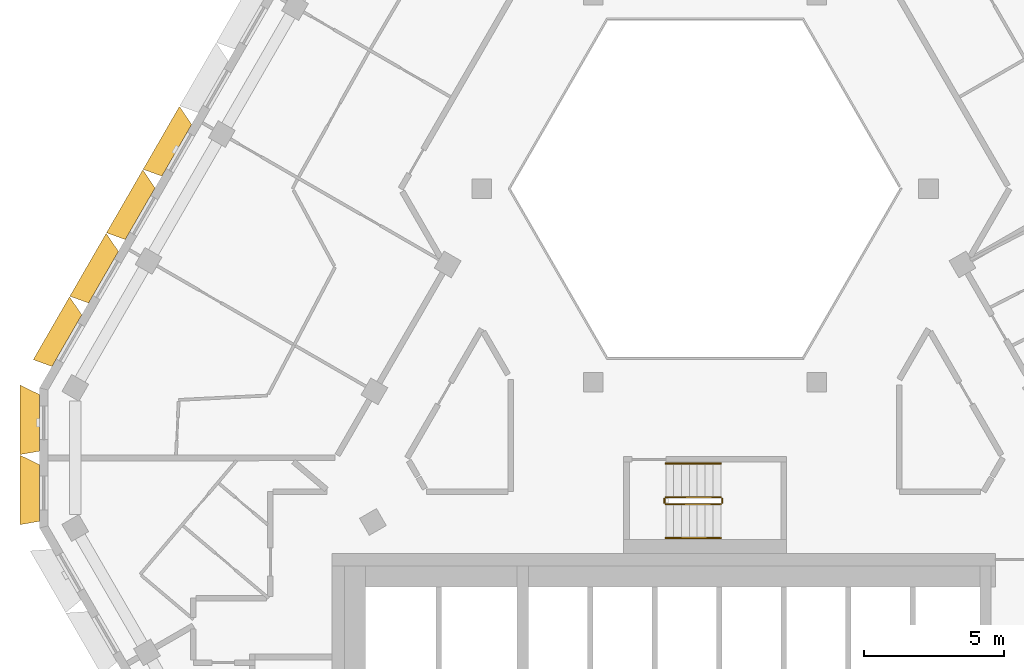
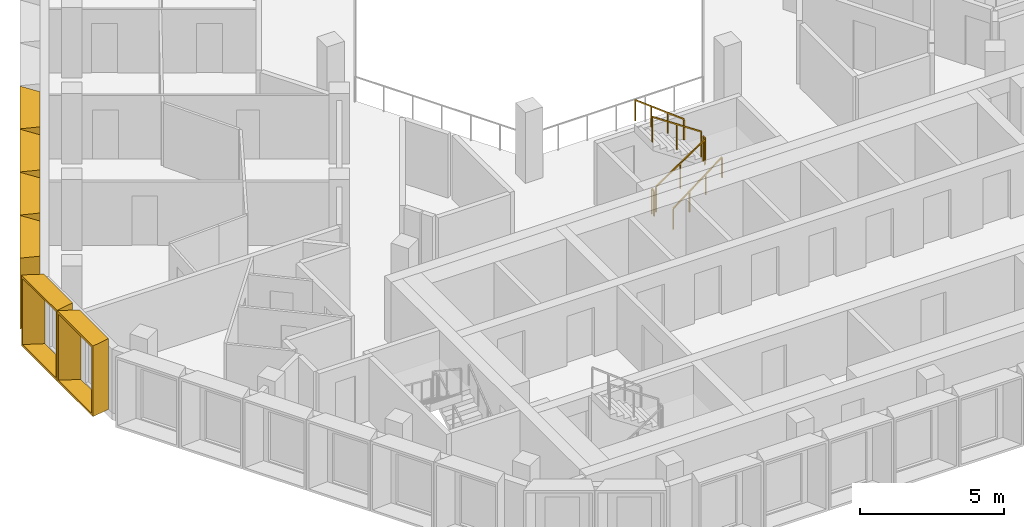
# One storey, part 13 of 16: 6 railings, 6 shading devices.
"""IFC4 building model written with IfcOpenShell, lengths in metres."""

from ifc_helpers import new_model, entity, si_unit, direction, frame, origin, origin_2d, place, context, subcontext, project, spatial, rectangle, extrude, source, transform, mapped, material, type_object, type_shapes, element, save


model = new_model("IFC4")

# Units and contexts
model_context = context("Model", 3, precision=1e-05, world=origin(), true_north=direction((0.0, 1.0)))
body_context = subcontext(model_context, "Body", "Model", "MODEL_VIEW")
ifc_project = project(units=[si_unit("LENGTHUNIT", "METRE"), si_unit("AREAUNIT", "SQUARE_METRE"), si_unit("VOLUMEUNIT", "CUBIC_METRE"), si_unit("PLANEANGLEUNIT", "RADIAN"), si_unit("MASSUNIT", "GRAM", prefix="KILO")], contexts=[model_context])

# Site, building, storey
site_placement = place(None, origin())
site = spatial("IfcSite", under=ifc_project, at=site_placement, CompositionType="ELEMENT")
building_placement = place(site_placement, origin())
building = spatial("IfcBuilding", under=site, at=building_placement, Name="Beryl Residences", CompositionType="ELEMENT")
storey_placement = place(building_placement, frame((0.0, 0.0, 238.800048828125)))
storey = spatial("IfcBuildingStorey", under=building, at=storey_placement, Name="L74", CompositionType="ELEMENT", Elevation=238.800048828125)

# Shading devices
ifc_material_1 = material(Name="Aluminium pale anodised", Category="aluminium")
shading_device_type_1 = type_object("IfcShadingDeviceType", Name="FR250-70B OUTER SKIN frame 700 mm deep, splay 26/10 deg, 2500 x 3000 mm cell", PredefinedType="USERDEFINED", material=ifc_material_1)
cartesian_point_1 = entity("IfcCartesianPoint", [-1.007568359375, 0.0])
cartesian_point_2 = entity("IfcCartesianPoint", [-0.91845703125, 0.10009765625])
cartesian_point_3 = entity("IfcCartesianPoint", [-1.348876953125, 0.0])
cartesian_point_4 = entity("IfcCartesianPoint", [-1.260009765625, 0.10009765625])
shared_shape_1 = source(origin(), body_context, "Body", "SweptSolid", [
    entity("IfcExtrudedAreaSolidTapered", entity("IfcArbitraryProfileDefWithVoids", "AREA", None, entity("IfcPolyline", [cartesian_point_1, entity("IfcCartesianPoint", [1.007568359375, 0.0]), entity("IfcCartesianPoint", [1.007568359375, 3.0]), entity("IfcCartesianPoint", [-1.007568359375, 3.0]), cartesian_point_1]), [entity("IfcPolyline", [cartesian_point_2, entity("IfcCartesianPoint", [0.92626953125, 0.10009765625]), entity("IfcCartesianPoint", [0.92626953125, 2.89990234375]), entity("IfcCartesianPoint", [-0.91845703125, 2.89990234375]), cartesian_point_2])]), entity("IfcAxis2Placement3D", entity("IfcCartesianPoint", [0.0, 0.0, 0.0]), entity("IfcDirection", [0.0, 1.0, 0.0]), entity("IfcDirection", [-1.0, 0.0, 0.0])), entity("IfcDirection", [0.0, 0.0, 1.0]), 0.699951171875, entity("IfcArbitraryProfileDefWithVoids", "AREA", None, entity("IfcPolyline", [cartesian_point_3, entity("IfcCartesianPoint", [1.130859375, 0.0]), entity("IfcCartesianPoint", [1.130859375, 3.0]), entity("IfcCartesianPoint", [-1.348876953125, 3.0]), cartesian_point_3]), [entity("IfcPolyline", [cartesian_point_4, entity("IfcCartesianPoint", [1.0498046875, 0.10009765625]), entity("IfcCartesianPoint", [1.0498046875, 2.89990234375]), entity("IfcCartesianPoint", [-1.260009765625, 2.89990234375]), cartesian_point_4])])),
])
type_shapes(shading_device_type_1, [shared_shape_1])
for number, where, z_axis, x_axis, name in (
    (1, (-23.72900390625, -0.35009765625, 0.0), (0.0, 0.0, 1.0), (0.0, 1.0, 0.0), "FR250-70B frame L74 NW-SW 1"),
    (2, (-23.72900390625, -2.85009765625, 0.0), (0.0, 0.0, 1.0), (0.0, 1.0, 0.0), "FR250-70B frame L74 NW-SW 2"),
):
    element("IfcShadingDevice", number, at=place(storey_placement, frame(where, z_axis=z_axis, x_axis=x_axis)), inside=storey, type_object=shading_device_type_1, Name=name, ObjectType="OUTER SKIN", PredefinedType="USERDEFINED", context=body_context, shape_type="MappedRepresentation", body=[
        mapped(shared_shape_1, transform((0.0, 0.0, 0.0))),
    ])
ifc_material_2 = material(Name="Aluminium pale anodised", Category="aluminium")
shading_device_type_2 = type_object("IfcShadingDeviceType", Name="FR261-70B OUTER SKIN frame 700 mm deep, splay 26/10 deg, 2610 x 3000 mm cell", PredefinedType="USERDEFINED", material=ifc_material_2)
cartesian_point_5 = entity("IfcCartesianPoint", [-1.0625, 0.0])
cartesian_point_6 = entity("IfcCartesianPoint", [-0.973388671875, 0.10009765625])
cartesian_point_7 = entity("IfcCartesianPoint", [-1.40380859375, 0.0])
cartesian_point_8 = entity("IfcCartesianPoint", [-1.31494140625, 0.10009765625])
shared_shape_2 = source(origin(), body_context, "Body", "SweptSolid", [
    entity("IfcExtrudedAreaSolidTapered", entity("IfcArbitraryProfileDefWithVoids", "AREA", None, entity("IfcPolyline", [cartesian_point_5, entity("IfcCartesianPoint", [1.0625, 0.0]), entity("IfcCartesianPoint", [1.0625, 3.0]), entity("IfcCartesianPoint", [-1.0625, 3.0]), cartesian_point_5]), [entity("IfcPolyline", [cartesian_point_6, entity("IfcCartesianPoint", [0.981201171875, 0.10009765625]), entity("IfcCartesianPoint", [0.981201171875, 2.89990234375]), entity("IfcCartesianPoint", [-0.973388671875, 2.89990234375]), cartesian_point_6])]), entity("IfcAxis2Placement3D", entity("IfcCartesianPoint", [0.0, 0.0, 0.0]), entity("IfcDirection", [0.0, 1.0, 0.0]), entity("IfcDirection", [-1.0, 0.0, 0.0])), entity("IfcDirection", [0.0, 0.0, 1.0]), 0.699951171875, entity("IfcArbitraryProfileDefWithVoids", "AREA", None, entity("IfcPolyline", [cartesian_point_7, entity("IfcCartesianPoint", [1.18603515625, 0.0]), entity("IfcCartesianPoint", [1.18603515625, 3.0]), entity("IfcCartesianPoint", [-1.40380859375, 3.0]), cartesian_point_7]), [entity("IfcPolyline", [cartesian_point_8, entity("IfcCartesianPoint", [1.104736328125, 0.10009765625]), entity("IfcCartesianPoint", [1.104736328125, 2.89990234375]), entity("IfcCartesianPoint", [-1.31494140625, 2.89990234375]), cartesian_point_8])])),
])
type_shapes(shading_device_type_2, [shared_shape_2])
for number, where, z_axis, x_axis, name in (
    (3, (-18.839111328125, 9.368896484375, 0.0), (0.0, 0.0, 1.0), (0.5, 0.866025403784, 0.0), "FR261-70B frame L74 NW 5"),
    (4, (-20.14501953125, 7.10595703125, 0.0), (0.0, 0.0, 1.0), (0.5, 0.866025403784, 0.0), "FR261-70B frame L74 NW 6"),
    (5, (-21.450927734375, 4.843994140625, 0.0), (0.0, 0.0, 1.0), (0.5, 0.866025403784, 0.0), "FR261-70B frame L74 NW 7"),
    (6, (-22.758056640625, 2.5810546875, 0.0), (0.0, 0.0, 1.0), (0.5, 0.866025403784, 0.0), "FR261-70B frame L74 NW 8"),
):
    element("IfcShadingDevice", number, at=place(storey_placement, frame(where, z_axis=z_axis, x_axis=x_axis)), inside=storey, type_object=shading_device_type_2, Name=name, ObjectType="OUTER SKIN", PredefinedType="USERDEFINED", context=body_context, shape_type="MappedRepresentation", body=[
        mapped(shared_shape_2, transform((0.0, 0.0, 0.0))),
    ])

# Railings
ifc_material_3 = material(Name="Stainless steel balustrade with glass infill", Category="steel")
railing_type_1 = type_object("IfcRailingType", Name="SG1 stair guard 1100 mm", PredefinedType="GUARDRAIL", material=ifc_material_3)
railing_1_placement = place(storey_placement, frame((-1.39990234375, -3.25, 0.1875)))
element("IfcRailing", 7, at=railing_1_placement, inside=storey, type_object=railing_type_1, Name="L74 ST-4 stair guard 1", PredefinedType="GUARDRAIL", context=body_context, shape_type="SweptSolid", body=[
    extrude(rectangle(XDim=0.048095703125, YDim=0.048095703125, at=origin_2d()), frame((0.0, 0.0, 1.076171875), z_axis=(0.830902050051, 0.0, 0.556418712142), x_axis=(0.0, 1.0, 0.0)), (0.0, 0.0, 1.0), 2.35888671875),
    extrude(rectangle(XDim=0.0419921875, YDim=0.0419921875, at=origin_2d()), origin(), (0.0, 0.0, 1.0), 1.052001953125),
    extrude(rectangle(XDim=0.0419921875, YDim=0.0419921875, at=origin_2d()), frame((0.97998046875, 0.0, 0.65625)), (0.0, 0.0, 1.0), 1.052001953125),
    extrude(rectangle(XDim=0.0419921875, YDim=0.0419921875, at=origin_2d()), frame((1.9599609375, 0.0, 1.3125)), (0.0, 0.0, 1.0), 1.052001953125),
])
railing_2_placement = place(storey_placement, frame((0.610107421875, -3.199951171875, 1.5)))
element("IfcRailing", 8, at=railing_2_placement, inside=storey, type_object=railing_type_1, Name="L74 ST-4 stair guard 2", PredefinedType="GUARDRAIL", context=body_context, shape_type="SweptSolid", body=[
    extrude(rectangle(XDim=0.048095703125, YDim=0.048095703125, at=origin_2d()), frame((0.0, 0.0, 1.076171875), z_axis=(0.0, 1.0, 0.0), x_axis=(-1.0, 0.0, 0.0)), (0.0, 0.0, 1.0), 0.14990234375),
    extrude(rectangle(XDim=0.0419921875, YDim=0.0419921875, at=origin_2d()), origin(), (0.0, 0.0, 1.0), 1.052001953125),
    extrude(rectangle(XDim=0.0419921875, YDim=0.0419921875, at=origin_2d()), frame((0.0, 0.14990234375, 0.0)), (0.0, 0.0, 1.0), 1.052001953125),
])
railing_3_placement = place(storey_placement, frame((0.56005859375, -3.0, 1.6875)))
element("IfcRailing", 9, at=railing_3_placement, inside=storey, type_object=railing_type_1, Name="L74 ST-4 stair guard 3", PredefinedType="GUARDRAIL", context=body_context, shape_type="SweptSolid", body=[
    extrude(rectangle(XDim=0.048095703125, YDim=0.048095703125, at=origin_2d()), frame((0.0, 0.0, 1.076171875), z_axis=(-0.830902050051, 0.0, 0.556418712142), x_axis=(0.0, -1.0, 0.0)), (0.0, 0.0, 1.0), 2.35888671875),
    extrude(rectangle(XDim=0.0419921875, YDim=0.0419921875, at=origin_2d()), origin(), (0.0, 0.0, 1.0), 1.052001953125),
    extrude(rectangle(XDim=0.0419921875, YDim=0.0419921875, at=origin_2d()), frame((-0.97998046875, 0.0, 0.65625)), (0.0, 0.0, 1.0), 1.052001953125),
    extrude(rectangle(XDim=0.0419921875, YDim=0.0419921875, at=origin_2d()), frame((-1.9599609375, 0.0, 1.3125)), (0.0, 0.0, 1.0), 1.052001953125),
])
railing_4_placement = place(storey_placement, frame((-1.449951171875, -3.199951171875, 0.0)))
element("IfcRailing", 10, at=railing_4_placement, inside=storey, type_object=railing_type_1, Name="L74 ST-4 stair guard 4", PredefinedType="GUARDRAIL", context=body_context, shape_type="SweptSolid", body=[
    extrude(rectangle(XDim=0.048095703125, YDim=0.048095703125, at=origin_2d()), frame((0.0, 0.0, 1.076171875), z_axis=(0.0, 1.0, 0.0), x_axis=(-1.0, 0.0, 0.0)), (0.0, 0.0, 1.0), 0.14990234375),
    extrude(rectangle(XDim=0.0419921875, YDim=0.0419921875, at=origin_2d()), origin(), (0.0, 0.0, 1.0), 1.052001953125),
    extrude(rectangle(XDim=0.0419921875, YDim=0.0419921875, at=origin_2d()), frame((0.0, 0.14990234375, 0.0)), (0.0, 0.0, 1.0), 1.052001953125),
])
ifc_material_4 = material(Name="Stainless steel handrail", Category="steel")
railing_type_2 = type_object("IfcRailingType", Name="SRL1 stair handrail 900 mm", PredefinedType="HANDRAIL", material=ifc_material_4)
railing_5_placement = place(storey_placement, frame((-1.39990234375, -4.449951171875, 0.1875)))
element("IfcRailing", 11, at=railing_5_placement, inside=storey, type_object=railing_type_2, Name="L74 ST-4 stair handrail 1", PredefinedType="HANDRAIL", context=body_context, shape_type="SweptSolid", body=[
    extrude(rectangle(XDim=0.048095703125, YDim=0.048095703125, at=origin_2d()), frame((0.0, 0.0, 0.8759765625), z_axis=(0.794121922505, 0.0, 0.607758481798), x_axis=(0.0, 1.0, 0.0)), (0.0, 0.0, 1.0), 2.468017578125),
    extrude(rectangle(XDim=0.0419921875, YDim=0.0419921875, at=origin_2d()), origin(), (0.0, 0.0, 1.0), 0.851806640625),
    extrude(rectangle(XDim=0.0419921875, YDim=0.0419921875, at=origin_2d()), frame((0.6533203125, 0.0, 0.5)), (0.0, 0.0, 1.0), 0.851806640625),
    extrude(rectangle(XDim=0.0419921875, YDim=0.0419921875, at=origin_2d()), frame((1.306640625, 0.0, 1.0)), (0.0, 0.0, 1.0), 0.851806640625),
    extrude(rectangle(XDim=0.0419921875, YDim=0.0419921875, at=origin_2d()), frame((1.9599609375, 0.0, 1.5)), (0.0, 0.0, 1.0), 0.851806640625),
])
railing_6_placement = place(storey_placement, frame((0.56005859375, -1.800048828125, 1.6875)))
element("IfcRailing", 12, at=railing_6_placement, inside=storey, type_object=railing_type_2, Name="L74 ST-4 stair handrail 2", PredefinedType="HANDRAIL", context=body_context, shape_type="SweptSolid", body=[
    extrude(rectangle(XDim=0.048095703125, YDim=0.048095703125, at=origin_2d()), frame((0.0, 0.0, 0.8759765625), z_axis=(-0.794121922505, 0.0, 0.607758481798), x_axis=(0.0, -1.0, 0.0)), (0.0, 0.0, 1.0), 2.468017578125),
    extrude(rectangle(XDim=0.0419921875, YDim=0.0419921875, at=origin_2d()), origin(), (0.0, 0.0, 1.0), 0.851806640625),
    extrude(rectangle(XDim=0.0419921875, YDim=0.0419921875, at=origin_2d()), frame((-0.6533203125, 0.0, 0.5)), (0.0, 0.0, 1.0), 0.851806640625),
    extrude(rectangle(XDim=0.0419921875, YDim=0.0419921875, at=origin_2d()), frame((-1.306640625, 0.0, 1.0)), (0.0, 0.0, 1.0), 0.851806640625),
    extrude(rectangle(XDim=0.0419921875, YDim=0.0419921875, at=origin_2d()), frame((-1.9599609375, 0.0, 1.5)), (0.0, 0.0, 1.0), 0.851806640625),
])

save(model, "model.ifc")
